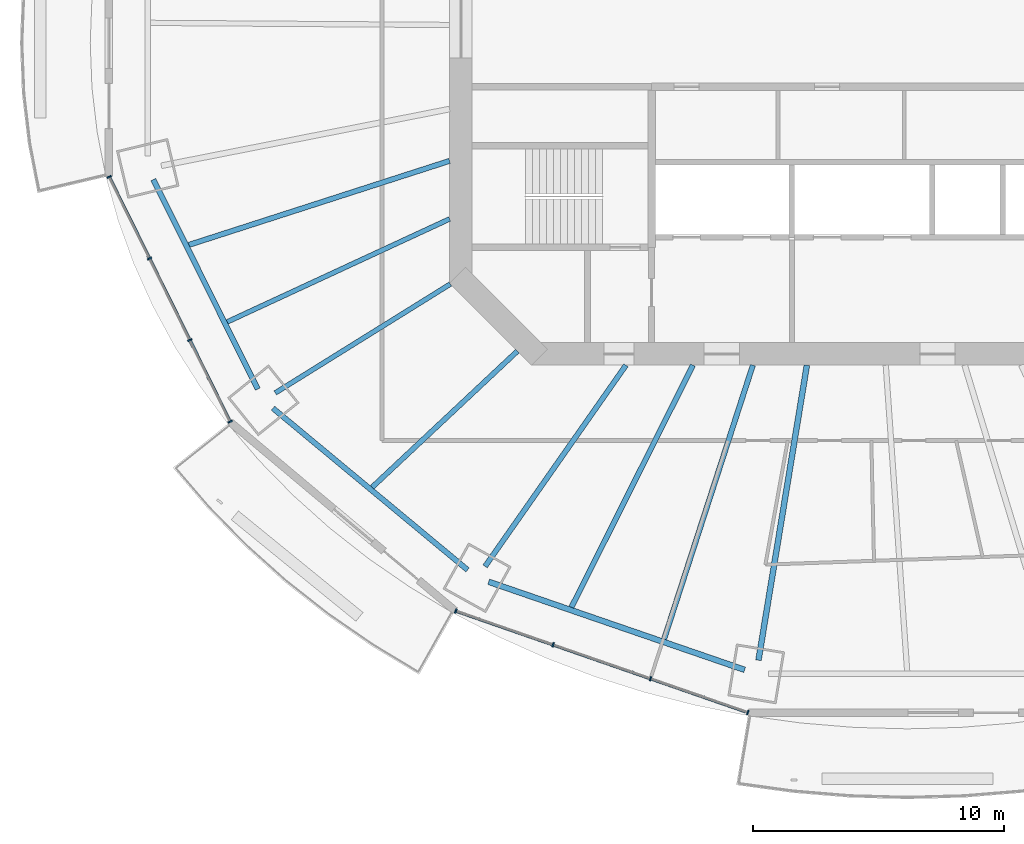
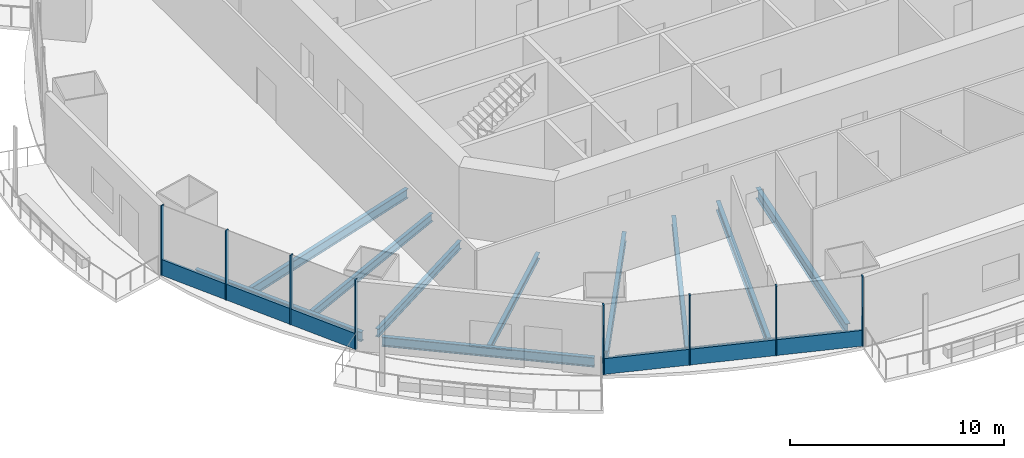
# One storey, part 2 of 20: 11 beams, 10 members, 2 elements without a shape of their own.
"""IFC4 building model written with IfcOpenShell, lengths in metres."""

from ifc_helpers import new_model, si_unit, direction, frame, origin, origin_2d, place, context, subcontext, project, spatial, rectangle, i_section, extrude, material, material_profile, profile_set, type_object, element, aggregate, save


model = new_model("IFC4")

# Units and contexts
model_context = context("Model", 3, precision=1e-05, world=origin(), true_north=direction((0.0, 1.0)))
body_context = subcontext(model_context, "Body", "Model", "MODEL_VIEW")
ifc_project = project(units=[si_unit("LENGTHUNIT", "METRE"), si_unit("AREAUNIT", "SQUARE_METRE"), si_unit("VOLUMEUNIT", "CUBIC_METRE"), si_unit("PLANEANGLEUNIT", "RADIAN"), si_unit("MASSUNIT", "GRAM", prefix="KILO")], contexts=[model_context])

# Site, building, storey
site_placement = place(None, origin())
site = spatial("IfcSite", under=ifc_project, at=site_placement, CompositionType="ELEMENT")
building_placement = place(site_placement, origin())
building = spatial("IfcBuilding", under=site, at=building_placement, Name="Marenthal Gate Tower", CompositionType="ELEMENT")
storey_placement = place(building_placement, frame((0.0, 0.0, 177.64990234375)))
storey = spatial("IfcBuildingStorey", under=building, at=storey_placement, Name="L38", CompositionType="ELEMENT", Elevation=177.64990234375)

# Curtain wall, members
ifc_material_1 = material(Name="Aluminium and glass", Category="aluminium")
curtain_wall_type = type_object("IfcCurtainWallType", Name="Curtain wall typical mid", PredefinedType="NOTDEFINED", material=ifc_material_1)
curtain_wall_1_placement = place(storey_placement, origin())
curtain_wall_1 = element("IfcCurtainWall", 1, at=curtain_wall_1_placement, inside=storey, type_object=curtain_wall_type, Name="Curtain wall L38 bay 9", PredefinedType="NOTDEFINED")
ifc_material_2 = material(Name="Aluminium", Category="aluminium")
ifc_material_profile_1 = material_profile(ifc_material_2, rectangle(XDim=0.179931640625, YDim=0.06005859375, at=origin_2d()), Name="60x180 aluminium mullion")
ifc_profile_set_1 = profile_set([ifc_material_profile_1], Name="Aluminium")
member_type_1 = type_object("IfcMemberType", Name="Mullion 60x180 typical mid", PredefinedType="MULLION", material=ifc_profile_set_1)
member_1_placement = place(storey_placement, frame((-30.02001953125, -5.9384765625, 0.0), z_axis=(0.0, 0.0, 1.0), x_axis=(0.89664343149, 0.442753381428, 0.0)))
member_1 = element("IfcMember", 2, at=member_1_placement, type_object=member_type_1, Name="Mullion L38 bay 9.1", PredefinedType="MULLION", context=body_context, shape_type="SweptSolid", body=[
    extrude(rectangle(XDim=0.179931640625, YDim=0.06005859375, at=origin_2d()), origin(), (0.0, 0.0, 1.0), 3.97021484375),
])
member_2_placement = place(storey_placement, frame((-28.413330078125, -9.19189453125, 0.0), z_axis=(0.0, 0.0, 1.0), x_axis=(0.89664343149, 0.442753381428, 0.0)))
member_2 = element("IfcMember", 3, at=member_2_placement, type_object=member_type_1, Name="Mullion L38 bay 9.2", PredefinedType="MULLION", context=body_context, shape_type="SweptSolid", body=[
    extrude(rectangle(XDim=0.179931640625, YDim=0.06005859375, at=origin_2d()), origin(), (0.0, 0.0, 1.0), 3.97021484375),
])
member_3_placement = place(storey_placement, frame((-26.806884765625, -12.445556640625, 0.0), z_axis=(0.0, 0.0, 1.0), x_axis=(0.89664343149, 0.442753381428, 0.0)))
member_3 = element("IfcMember", 4, at=member_3_placement, type_object=member_type_1, Name="Mullion L38 bay 9.3", PredefinedType="MULLION", context=body_context, shape_type="SweptSolid", body=[
    extrude(rectangle(XDim=0.179931640625, YDim=0.06005859375, at=origin_2d()), origin(), (0.0, 0.0, 1.0), 3.97021484375),
])
member_4_placement = place(storey_placement, frame((-25.2001953125, -15.698974609375, 0.0), z_axis=(0.0, 0.0, 1.0), x_axis=(0.89664343149, 0.442753381428, 0.0)))
member_4 = element("IfcMember", 5, at=member_4_placement, type_object=member_type_1, Name="Mullion L38 bay 9.4", PredefinedType="MULLION", context=body_context, shape_type="SweptSolid", body=[
    extrude(rectangle(XDim=0.179931640625, YDim=0.06005859375, at=origin_2d()), origin(), (0.0, 0.0, 1.0), 3.97021484375),
])

curtain_wall_2_placement = place(storey_placement, origin())
curtain_wall_2 = element("IfcCurtainWall", 6, at=curtain_wall_2_placement, inside=storey, type_object=curtain_wall_type, Name="Curtain wall L38 bay 11", PredefinedType="NOTDEFINED")
member_5_placement = place(storey_placement, frame((-16.203857421875, -23.24755859375, 0.0), z_axis=(0.0, 0.0, 1.0), x_axis=(0.32821091538, 0.944604464856, 0.0)))
member_5 = element("IfcMember", 7, at=member_5_placement, type_object=member_type_1, Name="Mullion L38 bay 11.1", PredefinedType="MULLION", context=body_context, shape_type="SweptSolid", body=[
    extrude(rectangle(XDim=0.179931640625, YDim=0.06005859375, at=origin_2d()), origin(), (0.0, 0.0, 1.0), 3.97021484375),
])
member_6_placement = place(storey_placement, frame((-12.32275390625, -24.595947265625, 0.0), z_axis=(0.0, 0.0, 1.0), x_axis=(0.32821091538, 0.944604464856, 0.0)))
member_6 = element("IfcMember", 8, at=member_6_placement, type_object=member_type_1, Name="Mullion L38 bay 11.2", PredefinedType="MULLION", context=body_context, shape_type="SweptSolid", body=[
    extrude(rectangle(XDim=0.179931640625, YDim=0.06005859375, at=origin_2d()), origin(), (0.0, 0.0, 1.0), 3.97021484375),
])
member_7_placement = place(storey_placement, frame((-8.44140625, -25.944580078125, 0.0), z_axis=(0.0, 0.0, 1.0), x_axis=(0.32821091538, 0.944604464856, 0.0)))
member_7 = element("IfcMember", 9, at=member_7_placement, type_object=member_type_1, Name="Mullion L38 bay 11.3", PredefinedType="MULLION", context=body_context, shape_type="SweptSolid", body=[
    extrude(rectangle(XDim=0.179931640625, YDim=0.06005859375, at=origin_2d()), origin(), (0.0, 0.0, 1.0), 3.97021484375),
])
member_8_placement = place(storey_placement, frame((-4.560302734375, -27.29296875, 0.0), z_axis=(0.0, 0.0, 1.0), x_axis=(0.32821091538, 0.944604464856, 0.0)))
member_8 = element("IfcMember", 10, at=member_8_placement, type_object=member_type_1, Name="Mullion L38 bay 11.4", PredefinedType="MULLION", context=body_context, shape_type="SweptSolid", body=[
    extrude(rectangle(XDim=0.179931640625, YDim=0.06005859375, at=origin_2d()), origin(), (0.0, 0.0, 1.0), 3.97021484375),
])

# Member
ifc_material_3 = material(Name="Aluminium", Category="aluminium")
ifc_material_profile_2 = material_profile(ifc_material_3, rectangle(XDim=0.1201171875, YDim=0.89990234375, at=origin_2d()), Name="120x900 aluminium transom")
ifc_profile_set_2 = profile_set([ifc_material_profile_2], Name="Aluminium")
member_type_2 = type_object("IfcMemberType", Name="Transom 120x900 typical mid", PredefinedType="USERDEFINED", material=ifc_profile_set_2)
member_9_placement = place(storey_placement, frame((-30.0068359375, -5.96533203125, 0.4501953125), z_axis=(0.442760838876, -0.896639749039, 0.0), x_axis=(0.896639749039, 0.442760838876, 0.0)))
member_9 = element("IfcMember", 11, at=member_9_placement, type_object=member_type_2, Name="Transom L38 bay 9", ObjectType="TRANSOM", PredefinedType="USERDEFINED", context=body_context, shape_type="SweptSolid", body=[
    extrude(rectangle(XDim=0.1201171875, YDim=0.89990234375, at=origin_2d()), origin(), (0.0, 0.0, 1.0), 10.82568359375),
])

aggregate(curtain_wall_1, [member_1, member_2, member_3, member_4, member_9])

member_10_placement = place(storey_placement, frame((-16.175537109375, -23.25732421875, 0.4501953125), z_axis=(0.944606832313, -0.328204101661, 0.0), x_axis=(0.328204101661, 0.944606832313, 0.0)))
member_10 = element("IfcMember", 12, at=member_10_placement, type_object=member_type_2, Name="Transom L38 bay 11", ObjectType="TRANSOM", PredefinedType="USERDEFINED", context=body_context, shape_type="SweptSolid", body=[
    extrude(rectangle(XDim=0.1201171875, YDim=0.89990234375, at=origin_2d()), origin(), (0.0, 0.0, 1.0), 12.266357421875),
])

aggregate(curtain_wall_2, [member_5, member_6, member_7, member_8, member_10])

# Beams
ifc_material_4 = material(Name="Steel S355", Category="steel")
ifc_material_profile_3 = material_profile(ifc_material_4, i_section(OverallWidth=0.205078125, OverallDepth=0.35302734375, WebThickness=0.009521484375, FlangeThickness=0.016845703125, FilletRadius=0.014892578125, at=origin_2d()), Name="W360X79")
ifc_profile_set_3 = profile_set([ifc_material_profile_3], Name="Steel S355")
beam_type_1 = type_object("IfcBeamType", Name="W360X79 beam", PredefinedType="BEAM", material=ifc_profile_set_3)
beam_1_placement = place(storey_placement, frame((-19.535888671875, -18.31298828125, -0.3564453125), z_axis=(0.729574634834, 0.683901200618, 0.0), x_axis=(-0.683901200618, 0.729574634834, 0.0)))
element("IfcBeam", 13, at=beam_1_placement, inside=storey, type_object=beam_type_1, Name="BM-L38-31", PredefinedType="BEAM", context=body_context, shape_type="SweptSolid", body=[
    extrude(i_section(OverallWidth=0.205078125, OverallDepth=0.35302734375, WebThickness=0.009521484375, FlangeThickness=0.016845703125, FilletRadius=0.014892578125, at=origin_2d()), origin(), (0.0, 0.0, 1.0), 7.9326171875),
])
ifc_material_5 = material(Name="Steel S355", Category="steel")
ifc_material_profile_4 = material_profile(ifc_material_5, i_section(OverallWidth=0.193115234375, OverallDepth=0.467041015625, WebThickness=0.011474609375, FlangeThickness=0.01904296875, FilletRadius=0.010009765625, at=origin_2d()), Name="W460X97")
ifc_profile_set_4 = profile_set([ifc_material_profile_4], Name="Steel S355")
beam_type_2 = type_object("IfcBeamType", Name="W460X97 beam", PredefinedType="BEAM", material=ifc_profile_set_4)
beam_2_placement = place(storey_placement, frame((-23.399658203125, -14.5537109375, -0.413330078125), z_axis=(0.849156399263, 0.528141467403, 0.0), x_axis=(-0.528141467403, 0.849156399263, 0.0)))
element("IfcBeam", 14, at=beam_2_placement, inside=storey, type_object=beam_type_2, Name="BM-L38-10", PredefinedType="BEAM", context=body_context, shape_type="SweptSolid", body=[
    extrude(i_section(OverallWidth=0.193115234375, OverallDepth=0.467041015625, WebThickness=0.011474609375, FlangeThickness=0.01904296875, FilletRadius=0.010009765625, at=origin_2d()), origin(), (0.0, 0.0, 1.0), 8.216796875),
])
beam_3_placement = place(storey_placement, frame((-25.31396484375, -11.721923828125, -0.413330078125), z_axis=(0.907436377592, 0.420189505607, 0.0), x_axis=(-0.420189505607, 0.907436377592, 0.0)))
element("IfcBeam", 15, at=beam_3_placement, inside=storey, type_object=beam_type_2, Name="BM-L38-30", PredefinedType="BEAM", context=body_context, shape_type="SweptSolid", body=[
    extrude(i_section(OverallWidth=0.193115234375, OverallDepth=0.467041015625, WebThickness=0.011474609375, FlangeThickness=0.01904296875, FilletRadius=0.010009765625, at=origin_2d()), origin(), (0.0, 0.0, 1.0), 9.768310546875),
])
ifc_material_6 = material(Name="Steel S355", Category="steel")
ifc_material_profile_5 = material_profile(ifc_material_6, i_section(OverallWidth=0.2099609375, OverallDepth=0.535888671875, WebThickness=0.010986328125, FlangeThickness=0.017333984375, FilletRadius=0.0126953125, at=origin_2d()), Name="W530X101")
ifc_profile_set_5 = profile_set([ifc_material_profile_5], Name="Steel S355")
beam_type_3 = type_object("IfcBeamType", Name="W530X101 beam", PredefinedType="BEAM", material=ifc_profile_set_5)
beam_4_placement = place(storey_placement, frame((-15.035400390625, -21.46875, -0.447998046875), z_axis=(0.573638073102, 0.819108882316, 0.0), x_axis=(-0.819108882316, 0.573638073102, 0.0)))
element("IfcBeam", 16, at=beam_4_placement, inside=storey, type_object=beam_type_3, Name="BM-L38-11", PredefinedType="BEAM", context=body_context, shape_type="SweptSolid", body=[
    extrude(i_section(OverallWidth=0.2099609375, OverallDepth=0.535888671875, WebThickness=0.010986328125, FlangeThickness=0.017333984375, FilletRadius=0.0126953125, at=origin_2d()), origin(), (0.0, 0.0, 1.0), 9.78955078125),
])
beam_5_placement = place(storey_placement, frame((-26.8447265625, -8.652099609375, -0.447998046875), z_axis=(0.95178380621, 0.306769597966, 0.0), x_axis=(-0.306769597966, 0.95178380621, 0.0)))
element("IfcBeam", 17, at=beam_5_placement, inside=storey, type_object=beam_type_3, Name="BM-L38-29", PredefinedType="BEAM", context=body_context, shape_type="SweptSolid", body=[
    extrude(i_section(OverallWidth=0.2099609375, OverallDepth=0.535888671875, WebThickness=0.010986328125, FlangeThickness=0.017333984375, FilletRadius=0.0126953125, at=origin_2d()), origin(), (0.0, 0.0, 1.0), 10.92138671875),
])
beam_6_placement = place(storey_placement, frame((-11.59228515625, -23.09716796875, -0.447998046875), z_axis=(0.448561123223, 0.89375215733, 0.0), x_axis=(-0.89375215733, 0.448561123223, 0.0)))
element("IfcBeam", 18, at=beam_6_placement, inside=storey, type_object=beam_type_3, Name="BM-L38-32", PredefinedType="BEAM", context=body_context, shape_type="SweptSolid", body=[
    extrude(i_section(OverallWidth=0.2099609375, OverallDepth=0.535888671875, WebThickness=0.010986328125, FlangeThickness=0.017333984375, FilletRadius=0.0126953125, at=origin_2d()), origin(), (0.0, 0.0, 1.0), 10.7939453125),
])
beam_7_placement = place(storey_placement, frame((-7.898681640625, -24.367919921875, -0.447998046875), z_axis=(0.308354878304, 0.951271396094, 0.0), x_axis=(-0.951271396094, 0.308354878304, 0.0)))
element("IfcBeam", 19, at=beam_7_placement, inside=storey, type_object=beam_type_3, Name="BM-L38-33", PredefinedType="BEAM", context=body_context, shape_type="SweptSolid", body=[
    extrude(i_section(OverallWidth=0.2099609375, OverallDepth=0.535888671875, WebThickness=0.010986328125, FlangeThickness=0.017333984375, FilletRadius=0.0126953125, at=origin_2d()), origin(), (0.0, 0.0, 1.0), 11.477294921875),
])
ifc_material_7 = material(Name="Steel S355", Category="steel")
ifc_material_profile_6 = material_profile(ifc_material_7, i_section(OverallWidth=0.2119140625, OverallDepth=0.5439453125, WebThickness=0.01318359375, FlangeThickness=0.021240234375, FilletRadius=0.0126953125, at=origin_2d()), Name="W530X123")
ifc_profile_set_6 = profile_set([ifc_material_profile_6], Name="Steel S355")
beam_type_4 = type_object("IfcBeamType", Name="W530X123 beam", PredefinedType="BEAM", material=ifc_profile_set_6)
beam_8_placement = place(storey_placement, frame((-28.26025390625, -6.051513671875, -0.451904296875), z_axis=(0.446271515311, -0.894897611251, 0.0), x_axis=(0.894897611251, 0.446271515311, 0.0)))
element("IfcBeam", 20, at=beam_8_placement, inside=storey, type_object=beam_type_4, Name="BM-L38-49", PredefinedType="BEAM", context=body_context, shape_type="SweptSolid", body=[
    extrude(i_section(OverallWidth=0.2119140625, OverallDepth=0.5439453125, WebThickness=0.01318359375, FlangeThickness=0.021240234375, FilletRadius=0.0126953125, at=origin_2d()), origin(), (0.0, 0.0, 1.0), 9.331787109375),
])
beam_9_placement = place(storey_placement, frame((-23.49267578125, -15.164306640625, -0.451904296875), z_axis=(0.769263759488, -0.638931348689, 0.0), x_axis=(0.638931348689, 0.769263759488, 0.0)))
element("IfcBeam", 21, at=beam_9_placement, inside=storey, type_object=beam_type_4, Name="BM-L38-50", PredefinedType="BEAM", context=body_context, shape_type="SweptSolid", body=[
    extrude(i_section(OverallWidth=0.2119140625, OverallDepth=0.5439453125, WebThickness=0.01318359375, FlangeThickness=0.021240234375, FilletRadius=0.0126953125, at=origin_2d()), origin(), (0.0, 0.0, 1.0), 10.087158203125),
])
ifc_material_8 = material(Name="Steel S355", Category="steel")
ifc_material_profile_7 = material_profile(ifc_material_8, i_section(OverallWidth=0.22900390625, OverallDepth=0.612060546875, WebThickness=0.011962890625, FlangeThickness=0.01953125, FilletRadius=0.0126953125, at=origin_2d()), Name="W610X125")
ifc_profile_set_7 = profile_set([ifc_material_profile_7], Name="Steel S355")
beam_type_5 = type_object("IfcBeamType", Name="W610X125 beam", PredefinedType="BEAM", material=ifc_profile_set_7)
beam_10_placement = place(storey_placement, frame((-4.134765625, -25.21044921875, -0.48583984375), z_axis=(0.161857113859, 0.986814204748, 0.0), x_axis=(-0.986814204748, 0.161857113859, 0.0)))
element("IfcBeam", 22, at=beam_10_placement, inside=storey, type_object=beam_type_5, Name="BM-L38-12", PredefinedType="BEAM", context=body_context, shape_type="SweptSolid", body=[
    extrude(i_section(OverallWidth=0.22900390625, OverallDepth=0.612060546875, WebThickness=0.011962890625, FlangeThickness=0.01953125, FilletRadius=0.0126953125, at=origin_2d()), origin(), (0.0, 0.0, 1.0), 11.917724609375),
])
beam_11_placement = place(storey_placement, frame((-14.890869140625, -22.083251953125, -0.48583984375), z_axis=(0.945598979252, -0.325334551559, 0.0), x_axis=(0.325334551559, 0.945598979252, 0.0)))
element("IfcBeam", 23, at=beam_11_placement, inside=storey, type_object=beam_type_5, Name="BM-L38-51", PredefinedType="BEAM", context=body_context, shape_type="SweptSolid", body=[
    extrude(i_section(OverallWidth=0.22900390625, OverallDepth=0.612060546875, WebThickness=0.011962890625, FlangeThickness=0.01953125, FilletRadius=0.0126953125, at=origin_2d()), origin(), (0.0, 0.0, 1.0), 10.7919921875),
])

save(model, "model.ifc")
